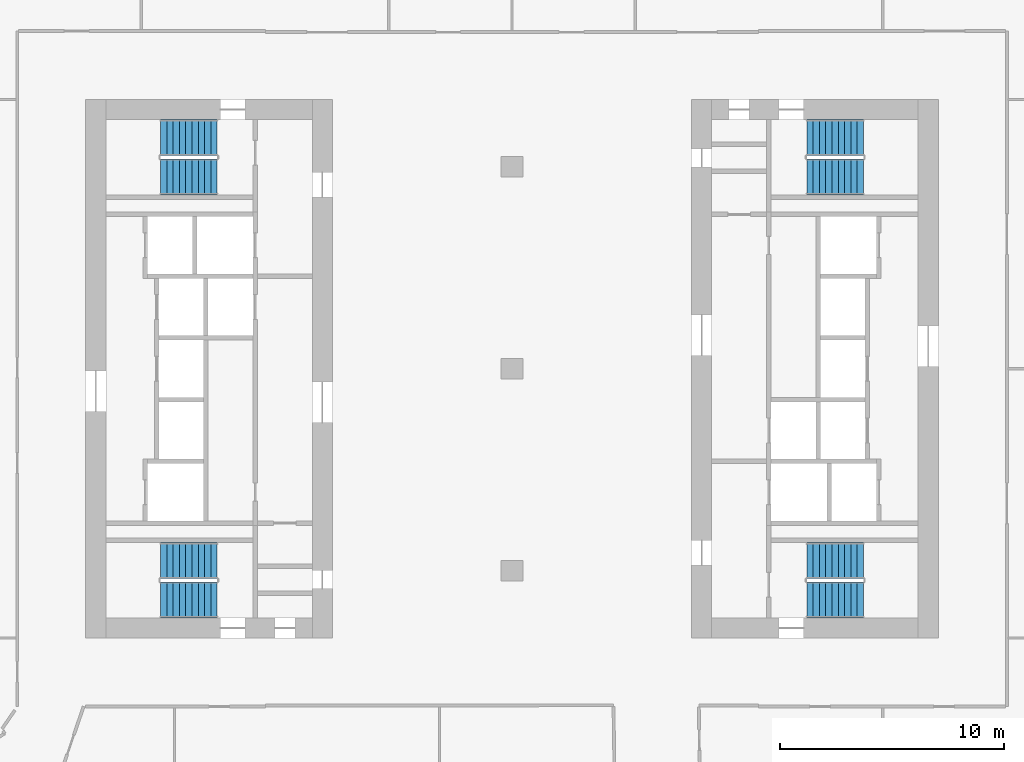
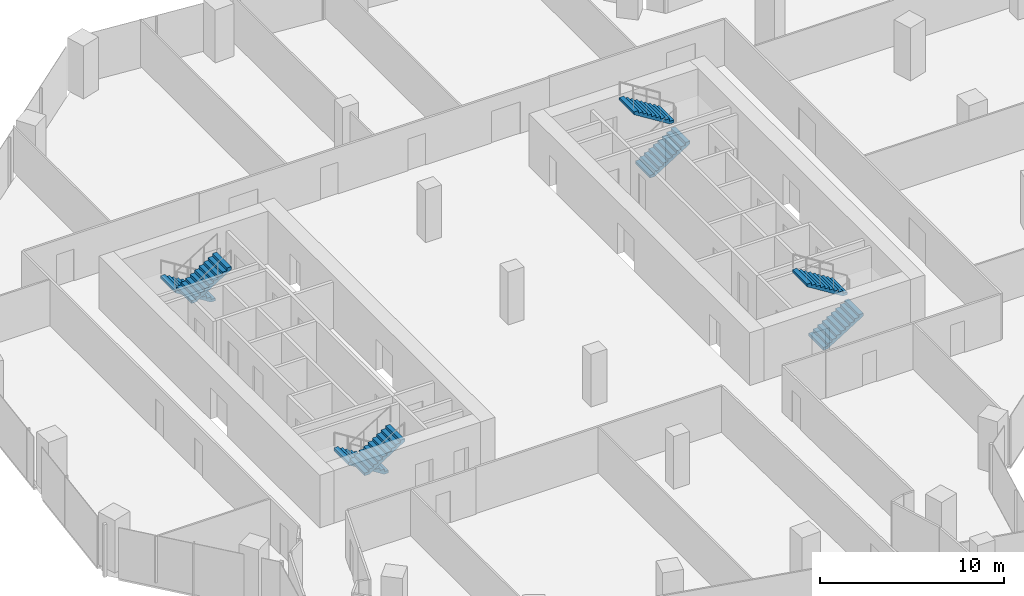
# One storey, part 23 of 24: 8 stair flights, 4 elements without a shape of their own.
"""IFC4 building model written with IfcOpenShell, lengths in metres."""

from ifc_helpers import new_model, si_unit, direction, frame, origin, place, context, subcontext, project, spatial, polyline, outline, extrude, material, type_object, element, aggregate, save


model = new_model("IFC4")

# Units and contexts
model_context = context("Model", 3, precision=1e-05, world=origin(), true_north=direction((0.0, 1.0)))
body_context = subcontext(model_context, "Body", "Model", "MODEL_VIEW")
ifc_project = project(units=[si_unit("LENGTHUNIT", "METRE"), si_unit("AREAUNIT", "SQUARE_METRE"), si_unit("VOLUMEUNIT", "CUBIC_METRE"), si_unit("PLANEANGLEUNIT", "RADIAN"), si_unit("MASSUNIT", "GRAM", prefix="KILO")], contexts=[model_context])

# Site, building, storey
site_placement = place(None, origin())
site = spatial("IfcSite", under=ifc_project, at=site_placement, CompositionType="ELEMENT")
building_placement = place(site_placement, origin())
building = spatial("IfcBuilding", under=site, at=building_placement, Name="Orlundy Tower", CompositionType="ELEMENT")
storey_placement = place(building_placement, frame((0.0, 0.0, 170.60009765625)))
storey = spatial("IfcBuildingStorey", under=building, at=storey_placement, Name="L44", CompositionType="ELEMENT", Elevation=170.60009765625)

# Stair, stair flights
ifc_material_1 = material(Name="Concrete C50/60", Category="concrete")
stair_type = type_object("IfcStairType", Name="Exit Stair 20 risers", PredefinedType="HALF_TURN_STAIR", material=ifc_material_1)
stair_1_placement = place(storey_placement, origin())
stair_1 = element("IfcStair", 1, at=stair_1_placement, inside=storey, type_object=stair_type, Name="L44 Exit Stair ST-W1", PredefinedType="HALF_TURN_STAIR")
ifc_material_2 = material(Name="Concrete C50/60", Category="concrete")
stair_flight_type = type_object("IfcStairFlightType", Name="Stair Flight 10 risers", PredefinedType="STRAIGHT", material=ifc_material_2)
stair_flight_1_placement = place(storey_placement, frame((-13.139892578125, 10.300048828125, 0.0), z_axis=(0.0, 0.0, 1.0), x_axis=(-1.0, 0.0, 0.0)))
stair_flight_1 = element("IfcStairFlight", 2, at=stair_flight_1_placement, type_object=stair_flight_type, Name="ST-W1 flight 1", NumberOfRisers=10, NumberOfTreads=9, PredefinedType="STRAIGHT", RiserHeight=0.175, TreadLength=0.28, context=body_context, shape_type="SweptSolid", body=[
    extrude(outline(polyline([(0.0, 0.0), (0.0, 0.175048828125), (0.280029296875, 0.175048828125), (0.280029296875, 0.35009765625), (0.56005859375, 0.35009765625), (0.56005859375, 0.52490234375), (0.840087890625, 0.52490234375), (0.840087890625, 0.699951171875), (1.1201171875, 0.699951171875), (1.1201171875, 0.875), (1.39990234375, 0.875), (1.39990234375, 1.050048828125), (1.679931640625, 1.050048828125), (1.679931640625, 1.22509765625), (1.9599609375, 1.22509765625), (1.9599609375, 1.39990234375), (2.239990234375, 1.39990234375), (2.239990234375, 1.574951171875), (2.52001953125, 1.574951171875), (2.52001953125, 1.75), (2.52001953125, 1.398193359375), (0.28271484375, 0.0), (0.0, 0.0)])), frame((0.0, 0.800048828125, 0.0), z_axis=(0.0, -1.0, 0.0), x_axis=(1.0, 0.0, 0.0)), (0.0, 0.0, 1.0), 1.60009765625),
])
stair_flight_2_placement = place(storey_placement, frame((-15.659912109375, 8.550048828125, 1.75), z_axis=(0.0, 0.0, 1.0), x_axis=(1.0, 0.0, 0.0)))
stair_flight_2 = element("IfcStairFlight", 3, at=stair_flight_2_placement, type_object=stair_flight_type, Name="ST-W1 flight 2", NumberOfRisers=10, NumberOfTreads=9, PredefinedType="STRAIGHT", RiserHeight=0.175, TreadLength=0.28, context=body_context, shape_type="SweptSolid", body=[
    extrude(outline(polyline([(0.0, 0.0), (0.0, 0.175048828125), (0.280029296875, 0.175048828125), (0.280029296875, 0.35009765625), (0.56005859375, 0.35009765625), (0.56005859375, 0.52490234375), (0.840087890625, 0.52490234375), (0.840087890625, 0.699951171875), (1.1201171875, 0.699951171875), (1.1201171875, 0.875), (1.39990234375, 0.875), (1.39990234375, 1.050048828125), (1.679931640625, 1.050048828125), (1.679931640625, 1.22509765625), (1.9599609375, 1.22509765625), (1.9599609375, 1.39990234375), (2.239990234375, 1.39990234375), (2.239990234375, 1.574951171875), (2.52001953125, 1.574951171875), (2.52001953125, 1.75), (2.52001953125, 1.398193359375), (0.28271484375, 0.0), (0.0, 0.0)])), frame((0.0, 0.800048828125, 0.0), z_axis=(0.0, -1.0, 0.0), x_axis=(1.0, 0.0, 0.0)), (0.0, 0.0, 1.0), 1.60009765625),
])
aggregate(stair_1, [stair_flight_1, stair_flight_2])

stair_2_placement = place(storey_placement, origin())
stair_2 = element("IfcStair", 4, at=stair_2_placement, inside=storey, type_object=stair_type, Name="L44 Exit Stair ST-W2", PredefinedType="HALF_TURN_STAIR")
stair_flight_3_placement = place(storey_placement, frame((-13.139892578125, -8.550048828125, 0.0), z_axis=(0.0, 0.0, 1.0), x_axis=(-1.0, 0.0, 0.0)))
stair_flight_3 = element("IfcStairFlight", 5, at=stair_flight_3_placement, type_object=stair_flight_type, Name="ST-W2 flight 1", NumberOfRisers=10, NumberOfTreads=9, PredefinedType="STRAIGHT", RiserHeight=0.175, TreadLength=0.28, context=body_context, shape_type="SweptSolid", body=[
    extrude(outline(polyline([(0.0, 0.0), (0.0, 0.175048828125), (0.280029296875, 0.175048828125), (0.280029296875, 0.35009765625), (0.56005859375, 0.35009765625), (0.56005859375, 0.52490234375), (0.840087890625, 0.52490234375), (0.840087890625, 0.699951171875), (1.1201171875, 0.699951171875), (1.1201171875, 0.875), (1.39990234375, 0.875), (1.39990234375, 1.050048828125), (1.679931640625, 1.050048828125), (1.679931640625, 1.22509765625), (1.9599609375, 1.22509765625), (1.9599609375, 1.39990234375), (2.239990234375, 1.39990234375), (2.239990234375, 1.574951171875), (2.52001953125, 1.574951171875), (2.52001953125, 1.75), (2.52001953125, 1.398193359375), (0.28271484375, 0.0), (0.0, 0.0)])), frame((0.0, 0.800048828125, 0.0), z_axis=(0.0, -1.0, 0.0), x_axis=(1.0, 0.0, 0.0)), (0.0, 0.0, 1.0), 1.60009765625),
])
stair_flight_4_placement = place(storey_placement, frame((-15.659912109375, -10.300048828125, 1.75), z_axis=(0.0, 0.0, 1.0), x_axis=(1.0, 0.0, 0.0)))
stair_flight_4 = element("IfcStairFlight", 6, at=stair_flight_4_placement, type_object=stair_flight_type, Name="ST-W2 flight 2", NumberOfRisers=10, NumberOfTreads=9, PredefinedType="STRAIGHT", RiserHeight=0.175, TreadLength=0.28, context=body_context, shape_type="SweptSolid", body=[
    extrude(outline(polyline([(0.0, 0.0), (0.0, 0.175048828125), (0.280029296875, 0.175048828125), (0.280029296875, 0.35009765625), (0.56005859375, 0.35009765625), (0.56005859375, 0.52490234375), (0.840087890625, 0.52490234375), (0.840087890625, 0.699951171875), (1.1201171875, 0.699951171875), (1.1201171875, 0.875), (1.39990234375, 0.875), (1.39990234375, 1.050048828125), (1.679931640625, 1.050048828125), (1.679931640625, 1.22509765625), (1.9599609375, 1.22509765625), (1.9599609375, 1.39990234375), (2.239990234375, 1.39990234375), (2.239990234375, 1.574951171875), (2.52001953125, 1.574951171875), (2.52001953125, 1.75), (2.52001953125, 1.398193359375), (0.28271484375, 0.0), (0.0, 0.0)])), frame((0.0, 0.800048828125, 0.0), z_axis=(0.0, -1.0, 0.0), x_axis=(1.0, 0.0, 0.0)), (0.0, 0.0, 1.0), 1.60009765625),
])
aggregate(stair_2, [stair_flight_3, stair_flight_4])

stair_3_placement = place(storey_placement, origin())
stair_3 = element("IfcStair", 7, at=stair_3_placement, inside=storey, type_object=stair_type, Name="L44 Exit Stair ST-E1", PredefinedType="HALF_TURN_STAIR")
stair_flight_5_placement = place(storey_placement, frame((13.139892578125, -10.300048828125, 0.0), z_axis=(0.0, 0.0, 1.0), x_axis=(1.0, 0.0, 0.0)))
stair_flight_5 = element("IfcStairFlight", 8, at=stair_flight_5_placement, type_object=stair_flight_type, Name="ST-E1 flight 1", NumberOfRisers=10, NumberOfTreads=9, PredefinedType="STRAIGHT", RiserHeight=0.175, TreadLength=0.28, context=body_context, shape_type="SweptSolid", body=[
    extrude(outline(polyline([(0.0, 0.0), (0.0, 0.175048828125), (0.280029296875, 0.175048828125), (0.280029296875, 0.35009765625), (0.56005859375, 0.35009765625), (0.56005859375, 0.52490234375), (0.840087890625, 0.52490234375), (0.840087890625, 0.699951171875), (1.1201171875, 0.699951171875), (1.1201171875, 0.875), (1.39990234375, 0.875), (1.39990234375, 1.050048828125), (1.679931640625, 1.050048828125), (1.679931640625, 1.22509765625), (1.9599609375, 1.22509765625), (1.9599609375, 1.39990234375), (2.239990234375, 1.39990234375), (2.239990234375, 1.574951171875), (2.52001953125, 1.574951171875), (2.52001953125, 1.75), (2.52001953125, 1.398193359375), (0.28271484375, 0.0), (0.0, 0.0)])), frame((0.0, 0.800048828125, 0.0), z_axis=(0.0, -1.0, 0.0), x_axis=(1.0, 0.0, 0.0)), (0.0, 0.0, 1.0), 1.60009765625),
])
stair_flight_6_placement = place(storey_placement, frame((15.659912109375, -8.550048828125, 1.75), z_axis=(0.0, 0.0, 1.0), x_axis=(-1.0, 0.0, 0.0)))
stair_flight_6 = element("IfcStairFlight", 9, at=stair_flight_6_placement, type_object=stair_flight_type, Name="ST-E1 flight 2", NumberOfRisers=10, NumberOfTreads=9, PredefinedType="STRAIGHT", RiserHeight=0.175, TreadLength=0.28, context=body_context, shape_type="SweptSolid", body=[
    extrude(outline(polyline([(0.0, 0.0), (0.0, 0.175048828125), (0.280029296875, 0.175048828125), (0.280029296875, 0.35009765625), (0.56005859375, 0.35009765625), (0.56005859375, 0.52490234375), (0.840087890625, 0.52490234375), (0.840087890625, 0.699951171875), (1.1201171875, 0.699951171875), (1.1201171875, 0.875), (1.39990234375, 0.875), (1.39990234375, 1.050048828125), (1.679931640625, 1.050048828125), (1.679931640625, 1.22509765625), (1.9599609375, 1.22509765625), (1.9599609375, 1.39990234375), (2.239990234375, 1.39990234375), (2.239990234375, 1.574951171875), (2.52001953125, 1.574951171875), (2.52001953125, 1.75), (2.52001953125, 1.398193359375), (0.28271484375, 0.0), (0.0, 0.0)])), frame((0.0, 0.800048828125, 0.0), z_axis=(0.0, -1.0, 0.0), x_axis=(1.0, 0.0, 0.0)), (0.0, 0.0, 1.0), 1.60009765625),
])
aggregate(stair_3, [stair_flight_5, stair_flight_6])

stair_4_placement = place(storey_placement, origin())
stair_4 = element("IfcStair", 10, at=stair_4_placement, inside=storey, type_object=stair_type, Name="L44 Exit Stair ST-E2", PredefinedType="HALF_TURN_STAIR")
stair_flight_7_placement = place(storey_placement, frame((13.139892578125, 8.550048828125, 0.0), z_axis=(0.0, 0.0, 1.0), x_axis=(1.0, 0.0, 0.0)))
stair_flight_7 = element("IfcStairFlight", 11, at=stair_flight_7_placement, type_object=stair_flight_type, Name="ST-E2 flight 1", NumberOfRisers=10, NumberOfTreads=9, PredefinedType="STRAIGHT", RiserHeight=0.175, TreadLength=0.28, context=body_context, shape_type="SweptSolid", body=[
    extrude(outline(polyline([(0.0, 0.0), (0.0, 0.175048828125), (0.280029296875, 0.175048828125), (0.280029296875, 0.35009765625), (0.56005859375, 0.35009765625), (0.56005859375, 0.52490234375), (0.840087890625, 0.52490234375), (0.840087890625, 0.699951171875), (1.1201171875, 0.699951171875), (1.1201171875, 0.875), (1.39990234375, 0.875), (1.39990234375, 1.050048828125), (1.679931640625, 1.050048828125), (1.679931640625, 1.22509765625), (1.9599609375, 1.22509765625), (1.9599609375, 1.39990234375), (2.239990234375, 1.39990234375), (2.239990234375, 1.574951171875), (2.52001953125, 1.574951171875), (2.52001953125, 1.75), (2.52001953125, 1.398193359375), (0.28271484375, 0.0), (0.0, 0.0)])), frame((0.0, 0.800048828125, 0.0), z_axis=(0.0, -1.0, 0.0), x_axis=(1.0, 0.0, 0.0)), (0.0, 0.0, 1.0), 1.60009765625),
])
stair_flight_8_placement = place(storey_placement, frame((15.659912109375, 10.300048828125, 1.75), z_axis=(0.0, 0.0, 1.0), x_axis=(-1.0, 0.0, 0.0)))
stair_flight_8 = element("IfcStairFlight", 12, at=stair_flight_8_placement, type_object=stair_flight_type, Name="ST-E2 flight 2", NumberOfRisers=10, NumberOfTreads=9, PredefinedType="STRAIGHT", RiserHeight=0.175, TreadLength=0.28, context=body_context, shape_type="SweptSolid", body=[
    extrude(outline(polyline([(0.0, 0.0), (0.0, 0.175048828125), (0.280029296875, 0.175048828125), (0.280029296875, 0.35009765625), (0.56005859375, 0.35009765625), (0.56005859375, 0.52490234375), (0.840087890625, 0.52490234375), (0.840087890625, 0.699951171875), (1.1201171875, 0.699951171875), (1.1201171875, 0.875), (1.39990234375, 0.875), (1.39990234375, 1.050048828125), (1.679931640625, 1.050048828125), (1.679931640625, 1.22509765625), (1.9599609375, 1.22509765625), (1.9599609375, 1.39990234375), (2.239990234375, 1.39990234375), (2.239990234375, 1.574951171875), (2.52001953125, 1.574951171875), (2.52001953125, 1.75), (2.52001953125, 1.398193359375), (0.28271484375, 0.0), (0.0, 0.0)])), frame((0.0, 0.800048828125, 0.0), z_axis=(0.0, -1.0, 0.0), x_axis=(1.0, 0.0, 0.0)), (0.0, 0.0, 1.0), 1.60009765625),
])
aggregate(stair_4, [stair_flight_7, stair_flight_8])

save(model, "model.ifc")
